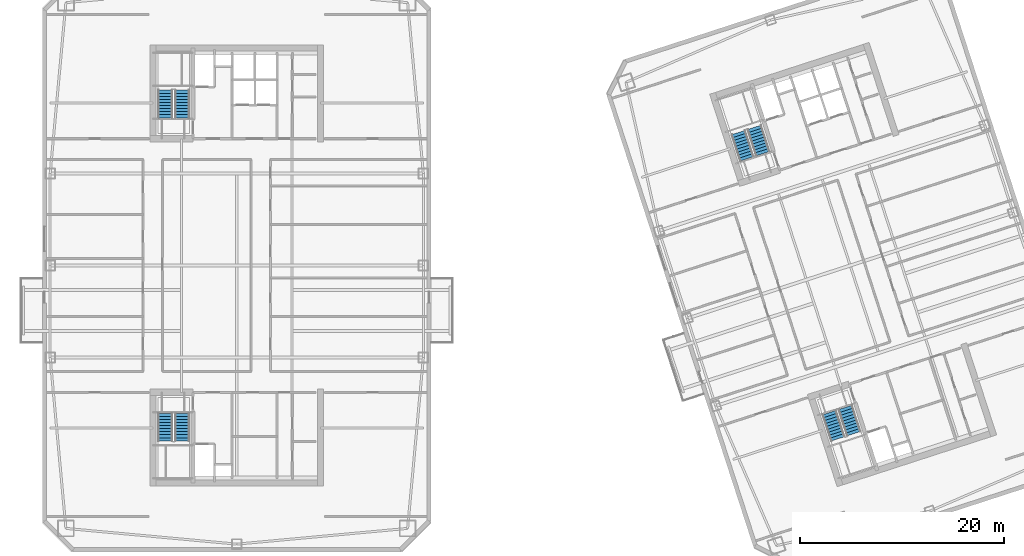
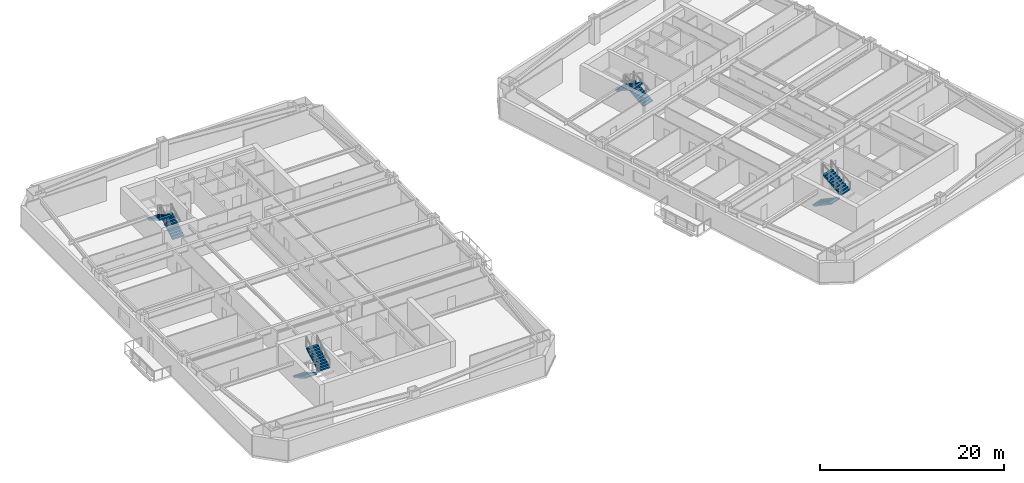
# One storey, part 10 of 14: 8 stair flights, 4 elements without a shape of their own.
"""IFC4 building model written with IfcOpenShell, lengths in metres."""

from ifc_helpers import new_model, si_unit, direction, frame, origin, place, context, subcontext, project, spatial, polyline, outline, extrude, material, type_object, element, aggregate, save


model = new_model("IFC4")

# Units and contexts
model_context = context("Model", 3, precision=1e-05, world=origin(), true_north=direction((0.0, 1.0)))
body_context = subcontext(model_context, "Body", "Model", "MODEL_VIEW")
ifc_project = project(units=[si_unit("LENGTHUNIT", "METRE"), si_unit("AREAUNIT", "SQUARE_METRE"), si_unit("VOLUMEUNIT", "CUBIC_METRE"), si_unit("PLANEANGLEUNIT", "RADIAN"), si_unit("MASSUNIT", "GRAM", prefix="KILO")], contexts=[model_context])

# Site, building, storey
site_placement = place(None, origin())
site = spatial("IfcSite", under=ifc_project, at=site_placement, CompositionType="ELEMENT")
building_placement = place(site_placement, origin())
building = spatial("IfcBuilding", under=site, at=building_placement, Name="Qiaolan Cultural Towers", CompositionType="ELEMENT")
storey_placement = place(building_placement, frame((0.0, 0.0, 103.5)))
storey = spatial("IfcBuildingStorey", under=building, at=storey_placement, Name="L26", CompositionType="ELEMENT", Elevation=103.5)

# Stair, stair flights
ifc_material_1 = material(Name="Concrete C45", Category="concrete")
stair_type = type_object("IfcStairType", Name="STR-CORE-1500", PredefinedType="HALF_TURN_STAIR", material=ifc_material_1)
stair_1_placement = place(storey_placement, origin())
stair_1 = element("IfcStair", 1, at=stair_1_placement, inside=storey, type_object=stair_type, Name="L26 Smokeproof Exit Stair ST-W1", PredefinedType="HALF_TURN_STAIR")
ifc_material_2 = material(Name="Concrete C45", Category="concrete")
stair_flight_type = type_object("IfcStairFlightType", Name="STR-CORE-1500-FL", PredefinedType="STRAIGHT", material=ifc_material_2)
stair_flight_1_placement = place(storey_placement, frame((23.02001953125, 19.550048828125, 0.0), z_axis=(0.0, 0.0, 1.0), x_axis=(0.0, -1.0, 0.0)))
stair_flight_1 = element("IfcStairFlight", 2, at=stair_flight_1_placement, type_object=stair_flight_type, Name="ST-W1 flight 1", NumberOfRisers=10, NumberOfTreads=9, PredefinedType="STRAIGHT", RiserHeight=0.1725, TreadLength=0.3, context=body_context, shape_type="SweptSolid", body=[
    extrude(outline(polyline([(0.0, 0.0), (0.0, 0.172607421875), (0.300048828125, 0.172607421875), (0.300048828125, 0.344970703125), (0.60009765625, 0.344970703125), (0.60009765625, 0.517578125), (0.89990234375, 0.517578125), (0.89990234375, 0.68994140625), (1.199951171875, 0.68994140625), (1.199951171875, 0.862548828125), (1.5, 0.862548828125), (1.5, 1.034912109375), (1.800048828125, 1.034912109375), (1.800048828125, 1.20751953125), (2.10009765625, 1.20751953125), (2.10009765625, 1.3798828125), (2.39990234375, 1.3798828125), (2.39990234375, 1.552490234375), (2.699951171875, 1.552490234375), (2.699951171875, 1.72509765625), (2.699951171875, 1.379638671875), (0.30078125, 0.0), (0.0, 0.0)])), frame((0.0, 0.719970703125, 0.0), z_axis=(0.0, -1.0, 0.0), x_axis=(1.0, 0.0, 0.0)), (0.0, 0.0, 1.0), 1.43994140625),
])
stair_flight_2_placement = place(storey_placement, frame((24.659912109375, 16.85009765625, 1.72509765625), z_axis=(0.0, 0.0, 1.0), x_axis=(0.0, 1.0, 0.0)))
stair_flight_2 = element("IfcStairFlight", 3, at=stair_flight_2_placement, type_object=stair_flight_type, Name="ST-W1 flight 2", NumberOfRisers=10, NumberOfTreads=9, PredefinedType="STRAIGHT", RiserHeight=0.1725, TreadLength=0.3, context=body_context, shape_type="SweptSolid", body=[
    extrude(outline(polyline([(0.0, 0.0), (0.0, 0.172607421875), (0.300048828125, 0.172607421875), (0.300048828125, 0.344970703125), (0.60009765625, 0.344970703125), (0.60009765625, 0.517578125), (0.89990234375, 0.517578125), (0.89990234375, 0.68994140625), (1.199951171875, 0.68994140625), (1.199951171875, 0.862548828125), (1.5, 0.862548828125), (1.5, 1.034912109375), (1.800048828125, 1.034912109375), (1.800048828125, 1.20751953125), (2.10009765625, 1.20751953125), (2.10009765625, 1.3798828125), (2.39990234375, 1.3798828125), (2.39990234375, 1.552490234375), (2.699951171875, 1.552490234375), (2.699951171875, 1.72509765625), (2.699951171875, 1.379638671875), (0.30078125, 0.0), (0.0, 0.0)])), frame((0.0, 0.719970703125, 0.0), z_axis=(0.0, -1.0, 0.0), x_axis=(1.0, 0.0, 0.0)), (0.0, 0.0, 1.0), 1.43994140625),
])
aggregate(stair_1, [stair_flight_1, stair_flight_2])

stair_2_placement = place(storey_placement, origin())
stair_2 = element("IfcStair", 4, at=stair_2_placement, inside=storey, type_object=stair_type, Name="L26 Smokeproof Exit Stair ST-W2", PredefinedType="HALF_TURN_STAIR")
stair_flight_3_placement = place(storey_placement, frame((24.659912109375, 48.449951171875, 0.0), z_axis=(0.0, 0.0, 1.0), x_axis=(0.0, 1.0, 0.0)))
stair_flight_3 = element("IfcStairFlight", 5, at=stair_flight_3_placement, type_object=stair_flight_type, Name="ST-W2 flight 1", NumberOfRisers=10, NumberOfTreads=9, PredefinedType="STRAIGHT", RiserHeight=0.1725, TreadLength=0.3, context=body_context, shape_type="SweptSolid", body=[
    extrude(outline(polyline([(0.0, 0.0), (0.0, 0.172607421875), (0.300048828125, 0.172607421875), (0.300048828125, 0.344970703125), (0.60009765625, 0.344970703125), (0.60009765625, 0.517578125), (0.89990234375, 0.517578125), (0.89990234375, 0.68994140625), (1.199951171875, 0.68994140625), (1.199951171875, 0.862548828125), (1.5, 0.862548828125), (1.5, 1.034912109375), (1.800048828125, 1.034912109375), (1.800048828125, 1.20751953125), (2.10009765625, 1.20751953125), (2.10009765625, 1.3798828125), (2.39990234375, 1.3798828125), (2.39990234375, 1.552490234375), (2.699951171875, 1.552490234375), (2.699951171875, 1.72509765625), (2.699951171875, 1.379638671875), (0.30078125, 0.0), (0.0, 0.0)])), frame((0.0, 0.719970703125, 0.0), z_axis=(0.0, -1.0, 0.0), x_axis=(1.0, 0.0, 0.0)), (0.0, 0.0, 1.0), 1.43994140625),
])
stair_flight_4_placement = place(storey_placement, frame((23.02001953125, 51.14990234375, 1.72509765625), z_axis=(0.0, 0.0, 1.0), x_axis=(0.0, -1.0, 0.0)))
stair_flight_4 = element("IfcStairFlight", 6, at=stair_flight_4_placement, type_object=stair_flight_type, Name="ST-W2 flight 2", NumberOfRisers=10, NumberOfTreads=9, PredefinedType="STRAIGHT", RiserHeight=0.1725, TreadLength=0.3, context=body_context, shape_type="SweptSolid", body=[
    extrude(outline(polyline([(0.0, 0.0), (0.0, 0.172607421875), (0.300048828125, 0.172607421875), (0.300048828125, 0.344970703125), (0.60009765625, 0.344970703125), (0.60009765625, 0.517578125), (0.89990234375, 0.517578125), (0.89990234375, 0.68994140625), (1.199951171875, 0.68994140625), (1.199951171875, 0.862548828125), (1.5, 0.862548828125), (1.5, 1.034912109375), (1.800048828125, 1.034912109375), (1.800048828125, 1.20751953125), (2.10009765625, 1.20751953125), (2.10009765625, 1.3798828125), (2.39990234375, 1.3798828125), (2.39990234375, 1.552490234375), (2.699951171875, 1.552490234375), (2.699951171875, 1.72509765625), (2.699951171875, 1.379638671875), (0.30078125, 0.0), (0.0, 0.0)])), frame((0.0, 0.719970703125, 0.0), z_axis=(0.0, -1.0, 0.0), x_axis=(1.0, 0.0, 0.0)), (0.0, 0.0, 1.0), 1.43994140625),
])
aggregate(stair_2, [stair_flight_3, stair_flight_4])

stair_3_placement = place(storey_placement, origin())
stair_3 = element("IfcStair", 7, at=stair_3_placement, inside=storey, type_object=stair_type, Name="L26 Smokeproof Exit Stair ST-E1", PredefinedType="HALF_TURN_STAIR")
stair_flight_5_placement = place(storey_placement, frame((87.96484375, 19.6171875, 0.0), z_axis=(0.0, 0.0, 1.0), x_axis=(0.309016994375, -0.951056516295, 0.0)))
stair_flight_5 = element("IfcStairFlight", 8, at=stair_flight_5_placement, type_object=stair_flight_type, Name="ST-E1 flight 1", NumberOfRisers=10, NumberOfTreads=9, PredefinedType="STRAIGHT", RiserHeight=0.1725, TreadLength=0.3, context=body_context, shape_type="SweptSolid", body=[
    extrude(outline(polyline([(0.0, 0.0), (0.0, 0.172607421875), (0.300048828125, 0.172607421875), (0.300048828125, 0.344970703125), (0.60009765625, 0.344970703125), (0.60009765625, 0.517578125), (0.89990234375, 0.517578125), (0.89990234375, 0.68994140625), (1.199951171875, 0.68994140625), (1.199951171875, 0.862548828125), (1.5, 0.862548828125), (1.5, 1.034912109375), (1.800048828125, 1.034912109375), (1.800048828125, 1.20751953125), (2.10009765625, 1.20751953125), (2.10009765625, 1.3798828125), (2.39990234375, 1.3798828125), (2.39990234375, 1.552490234375), (2.699951171875, 1.552490234375), (2.699951171875, 1.72509765625), (2.699951171875, 1.379638671875), (0.30078125, 0.0), (0.0, 0.0)])), frame((0.0, 0.719970703125, 0.0), z_axis=(0.0, -1.0, 0.0), x_axis=(1.0, 0.0, 0.0)), (0.0, 0.0, 1.0), 1.43994140625),
])
stair_flight_6_placement = place(storey_placement, frame((90.359130859375, 17.55615234375, 1.72509765625), z_axis=(0.0, 0.0, 1.0), x_axis=(-0.309016994375, 0.951056516295, 0.0)))
stair_flight_6 = element("IfcStairFlight", 9, at=stair_flight_6_placement, type_object=stair_flight_type, Name="ST-E1 flight 2", NumberOfRisers=10, NumberOfTreads=9, PredefinedType="STRAIGHT", RiserHeight=0.1725, TreadLength=0.3, context=body_context, shape_type="SweptSolid", body=[
    extrude(outline(polyline([(0.0, 0.0), (0.0, 0.172607421875), (0.300048828125, 0.172607421875), (0.300048828125, 0.344970703125), (0.60009765625, 0.344970703125), (0.60009765625, 0.517578125), (0.89990234375, 0.517578125), (0.89990234375, 0.68994140625), (1.199951171875, 0.68994140625), (1.199951171875, 0.862548828125), (1.5, 0.862548828125), (1.5, 1.034912109375), (1.800048828125, 1.034912109375), (1.800048828125, 1.20751953125), (2.10009765625, 1.20751953125), (2.10009765625, 1.3798828125), (2.39990234375, 1.3798828125), (2.39990234375, 1.552490234375), (2.699951171875, 1.552490234375), (2.699951171875, 1.72509765625), (2.699951171875, 1.379638671875), (0.30078125, 0.0), (0.0, 0.0)])), frame((0.0, 0.719970703125, 0.0), z_axis=(0.0, -1.0, 0.0), x_axis=(1.0, 0.0, 0.0)), (0.0, 0.0, 1.0), 1.43994140625),
])
aggregate(stair_3, [stair_flight_5, stair_flight_6])

stair_4_placement = place(storey_placement, origin())
stair_4 = element("IfcStair", 10, at=stair_4_placement, inside=storey, type_object=stair_type, Name="L26 Smokeproof Exit Stair ST-E2", PredefinedType="HALF_TURN_STAIR")
stair_flight_7_placement = place(storey_placement, frame((81.459228515625, 44.946533203125, 0.0), z_axis=(0.0, 0.0, 1.0), x_axis=(-0.309016994375, 0.951056516295, 0.0)))
stair_flight_7 = element("IfcStairFlight", 11, at=stair_flight_7_placement, type_object=stair_flight_type, Name="ST-E2 flight 1", NumberOfRisers=10, NumberOfTreads=9, PredefinedType="STRAIGHT", RiserHeight=0.1725, TreadLength=0.3, context=body_context, shape_type="SweptSolid", body=[
    extrude(outline(polyline([(0.0, 0.0), (0.0, 0.172607421875), (0.300048828125, 0.172607421875), (0.300048828125, 0.344970703125), (0.60009765625, 0.344970703125), (0.60009765625, 0.517578125), (0.89990234375, 0.517578125), (0.89990234375, 0.68994140625), (1.199951171875, 0.68994140625), (1.199951171875, 0.862548828125), (1.5, 0.862548828125), (1.5, 1.034912109375), (1.800048828125, 1.034912109375), (1.800048828125, 1.20751953125), (2.10009765625, 1.20751953125), (2.10009765625, 1.3798828125), (2.39990234375, 1.3798828125), (2.39990234375, 1.552490234375), (2.699951171875, 1.552490234375), (2.699951171875, 1.72509765625), (2.699951171875, 1.379638671875), (0.30078125, 0.0), (0.0, 0.0)])), frame((0.0, 0.719970703125, 0.0), z_axis=(0.0, -1.0, 0.0), x_axis=(1.0, 0.0, 0.0)), (0.0, 0.0, 1.0), 1.43994140625),
])
stair_flight_8_placement = place(storey_placement, frame((79.065185546875, 47.007568359375, 1.72509765625), z_axis=(0.0, 0.0, 1.0), x_axis=(0.309016994375, -0.951056516295, 0.0)))
stair_flight_8 = element("IfcStairFlight", 12, at=stair_flight_8_placement, type_object=stair_flight_type, Name="ST-E2 flight 2", NumberOfRisers=10, NumberOfTreads=9, PredefinedType="STRAIGHT", RiserHeight=0.1725, TreadLength=0.3, context=body_context, shape_type="SweptSolid", body=[
    extrude(outline(polyline([(0.0, 0.0), (0.0, 0.172607421875), (0.300048828125, 0.172607421875), (0.300048828125, 0.344970703125), (0.60009765625, 0.344970703125), (0.60009765625, 0.517578125), (0.89990234375, 0.517578125), (0.89990234375, 0.68994140625), (1.199951171875, 0.68994140625), (1.199951171875, 0.862548828125), (1.5, 0.862548828125), (1.5, 1.034912109375), (1.800048828125, 1.034912109375), (1.800048828125, 1.20751953125), (2.10009765625, 1.20751953125), (2.10009765625, 1.3798828125), (2.39990234375, 1.3798828125), (2.39990234375, 1.552490234375), (2.699951171875, 1.552490234375), (2.699951171875, 1.72509765625), (2.699951171875, 1.379638671875), (0.30078125, 0.0), (0.0, 0.0)])), frame((0.0, 0.719970703125, 0.0), z_axis=(0.0, -1.0, 0.0), x_axis=(1.0, 0.0, 0.0)), (0.0, 0.0, 1.0), 1.43994140625),
])
aggregate(stair_4, [stair_flight_7, stair_flight_8])

save(model, "model.ifc")
